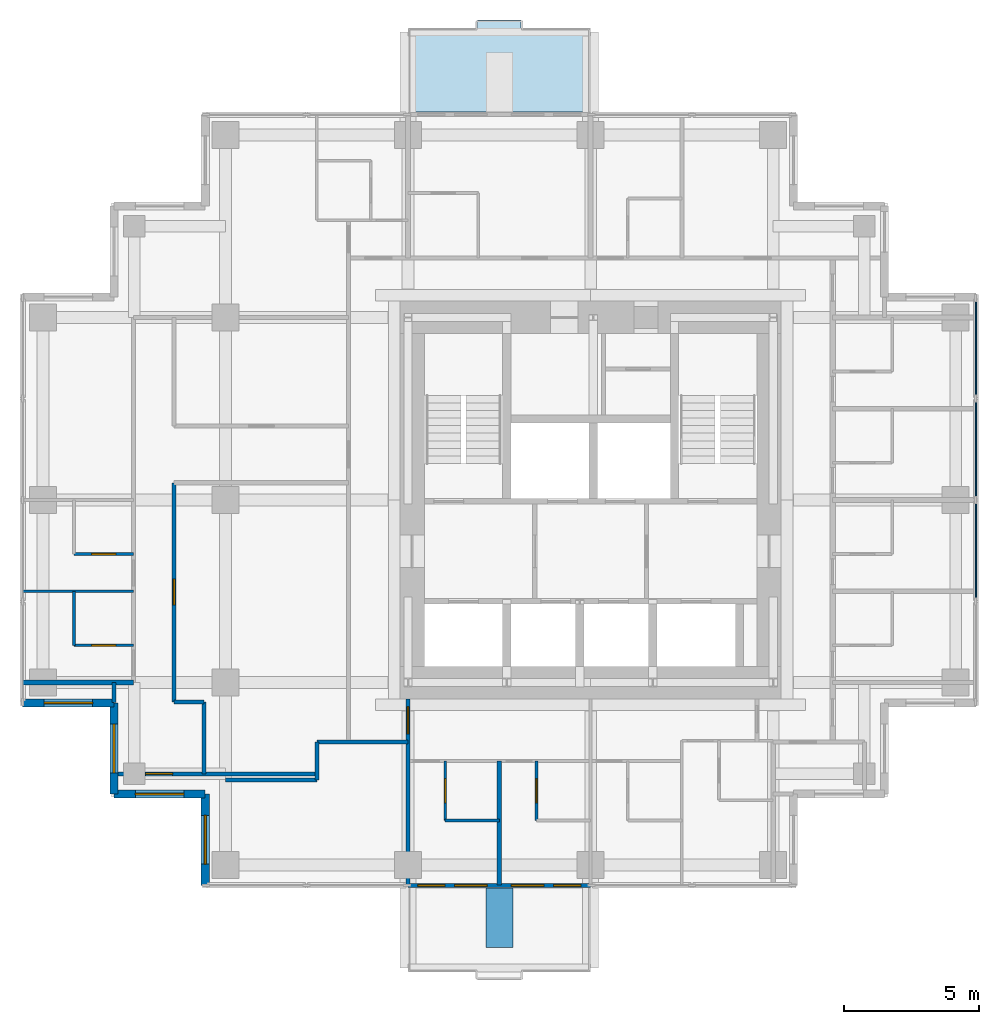
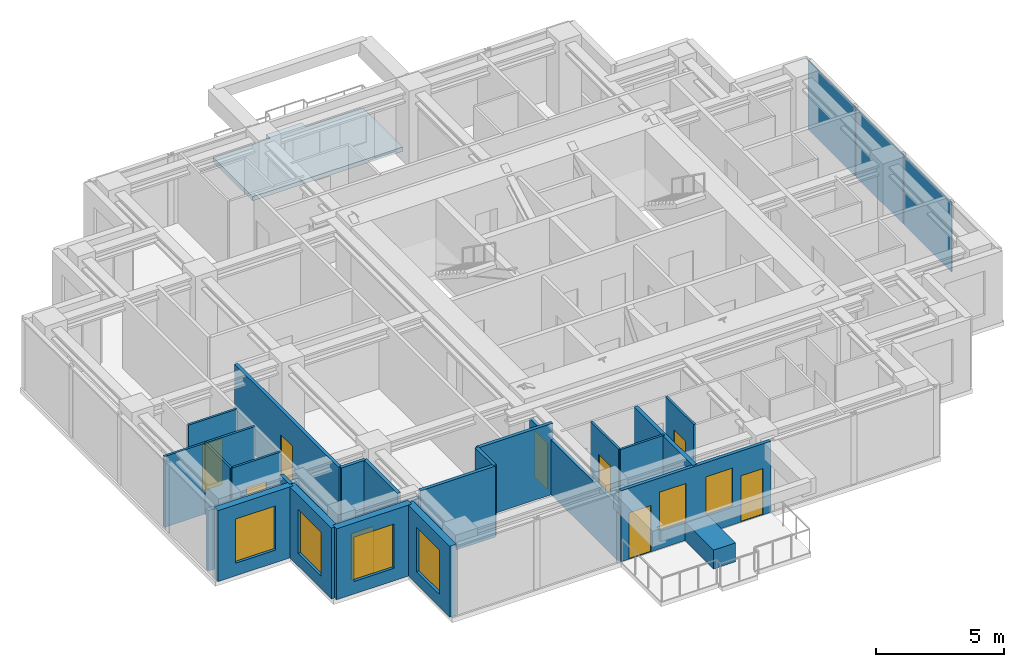
# One storey, part 3 of 8: 24 walls, 9 doors, 6 windows, 3 plates, 1 slab, 15 openings, 1 element without a shape of its own.
"""IFC4 building model written with IfcOpenShell, lengths in metres."""

from ifc_helpers import new_model, si_unit, direction, frame, frame_2d, origin, origin_2d, place, context, subcontext, project, spatial, polyline, rectangle, outline, extrude, material, layer, layer_set, type_object, element, fill, aggregate, save


model = new_model("IFC4")

# Units and contexts
model_context = context("Model", 3, precision=1e-05, world=origin(), true_north=direction((0.0, 1.0)))
body_context = subcontext(model_context, "Body", "Model", "MODEL_VIEW")
ifc_project = project(units=[si_unit("LENGTHUNIT", "METRE"), si_unit("AREAUNIT", "SQUARE_METRE"), si_unit("VOLUMEUNIT", "CUBIC_METRE"), si_unit("PLANEANGLEUNIT", "RADIAN"), si_unit("MASSUNIT", "GRAM", prefix="KILO")], contexts=[model_context])

# Site, building, storey
site_placement = place(None, origin())
site = spatial("IfcSite", under=ifc_project, at=site_placement, CompositionType="ELEMENT")
building_placement = place(site_placement, origin())
building = spatial("IfcBuilding", under=site, at=building_placement, Name="Nyansa Garden Tower", CompositionType="ELEMENT")
storey_placement = place(building_placement, frame((0.0, 0.0, 247.5)))
storey = spatial("IfcBuildingStorey", under=building, at=storey_placement, Name="L67", CompositionType="ELEMENT", Elevation=247.5)

# Slab
ifc_material_1 = material(Name="Concrete C40/50", Category="concrete")
ifc_layer_1 = layer(ifc_material_1, 0.199951171875)
ifc_layer_set_1 = layer_set([ifc_layer_1], Name="Balcony slab BS200")
slab_type = type_object("IfcSlabType", Name="Balcony slab BS200", PredefinedType="FLOOR", material=ifc_layer_set_1)
slab_placement = place(storey_placement, frame((0.0, 0.0, -0.239990234375)))
element("IfcSlab", 1, at=slab_placement, inside=storey, type_object=slab_type, Name="Balcony L67 N", PredefinedType="FLOOR", context=body_context, shape_type="SweptSolid", body=[
    extrude(outline(polyline([(13.5, 34.60009765625), (20.25, 34.60009765625), (20.25, 37.699951171875), (17.675048828125, 37.699951171875), (17.675048828125, 38.0), (16.074951171875, 38.0), (16.074951171875, 37.699951171875), (13.5, 37.699951171875), (13.5, 34.60009765625)])), origin(), (0.0, 0.0, 1.0), 0.199951171875),
])

# Curtain wall, plates
ifc_material_2 = material(Name="Black anodised aluminium, dark tinted double glazing", Category="aluminium")
curtain_wall_type = type_object("IfcCurtainWallType", Name="Inner skin curtain wall ISW-D", PredefinedType="USERDEFINED", material=ifc_material_2)
curtain_wall_placement = place(storey_placement, origin())
curtain_wall = element("IfcCurtainWall", 2, at=curtain_wall_placement, inside=storey, type_object=curtain_wall_type, Name="Inner skin curtain wall L67 E", ObjectType="UNITISED CURTAIN WALL", PredefinedType="USERDEFINED")
ifc_material_3 = material(Name="Dark tinted laminated double glazing", Category="glass")
ifc_layer_2 = layer(ifc_material_3, 0.0439453125)
ifc_layer_set_2 = layer_set([ifc_layer_2], Name="Dark tinted vision panel VP-D")
plate_type = type_object("IfcPlateType", Name="Dark tinted vision panel VP-D", PredefinedType="CURTAIN_PANEL", material=ifc_layer_set_2)
plate_1_placement = place(storey_placement, frame((34.5, 18.375, 0.0), z_axis=(0.0, 0.0, 1.0), x_axis=(0.0, 1.0, 0.0)))
plate_1 = element("IfcPlate", 3, at=plate_1_placement, type_object=plate_type, Name="ISW-D panel 2", PredefinedType="CURTAIN_PANEL", context=body_context, shape_type="SweptSolid", body=[
    extrude(rectangle(XDim=3.679931640625, YDim=0.0439453125, at=origin_2d()), origin(), (0.0, 0.0, 1.0), 3.304931640625),
])
plate_2_placement = place(storey_placement, frame((34.5, 22.125, 0.0), z_axis=(0.0, 0.0, 1.0), x_axis=(0.0, 1.0, 0.0)))
plate_2 = element("IfcPlate", 4, at=plate_2_placement, type_object=plate_type, Name="ISW-D panel 3", PredefinedType="CURTAIN_PANEL", context=body_context, shape_type="SweptSolid", body=[
    extrude(rectangle(XDim=3.679931640625, YDim=0.0439453125, at=origin_2d()), origin(), (0.0, 0.0, 1.0), 3.304931640625),
])
plate_3_placement = place(storey_placement, frame((34.5, 25.857421875, 0.0), z_axis=(0.0, 0.0, 1.0), x_axis=(0.0, 1.0, 0.0)))
plate_3 = element("IfcPlate", 5, at=plate_3_placement, type_object=plate_type, Name="ISW-D panel 4", PredefinedType="CURTAIN_PANEL", context=body_context, shape_type="SweptSolid", body=[
    extrude(rectangle(XDim=3.64501953125, YDim=0.0439453125, at=origin_2d()), origin(), (0.0, 0.0, 1.0), 3.304931640625),
])
aggregate(curtain_wall, [plate_1, plate_2, plate_3])

# Walls
ifc_material_4 = material(Name="Dense blockwork, plastered both sides, 55 dB", Category="masonry")
ifc_layer_3 = layer(ifc_material_4, 0.175048828125)
ifc_layer_set_3 = layer_set([ifc_layer_3], Name="Acoustic party wall PW175")
wall_type_1 = type_object("IfcWallType", Name="Acoustic party wall PW175", PredefinedType="PARTITIONING", material=ifc_layer_set_3)
wall_1_placement = place(storey_placement, frame((-0.73388671875, 13.5, 0.0), z_axis=(0.0, 0.0, 1.0), x_axis=(1.0, 0.0, 0.0)))
element("IfcWall", 6, at=wall_1_placement, inside=storey, type_object=wall_type_1, Name="Party wall", PredefinedType="PARTITIONING", context=body_context, shape_type="SweptSolid", body=[
    extrude(rectangle(XDim=4.083984375, YDim=0.175048828125, at=frame_2d((2.0419921875, 0.0))), origin(), (0.0, 0.0, 1.0), 2.876953125),
])
wall_2_placement = place(storey_placement, frame((16.875, 6.01611328125, 0.0), z_axis=(0.0, 0.0, 1.0), x_axis=(0.0, 1.0, 0.0)))
element("IfcWall", 7, at=wall_2_placement, inside=storey, type_object=wall_type_1, Name="Party wall", PredefinedType="PARTITIONING", context=body_context, shape_type="SweptSolid", body=[
    extrude(rectangle(XDim=4.583984375, YDim=0.175048828125, at=frame_2d((2.2919921875, 0.0))), origin(), (0.0, 0.0, 1.0), 3.375),
])

# Wall, openings, doors, windows
ifc_material_5 = material(Name="Black aluminium framed glazed screen", Category="aluminium")
ifc_layer_4 = layer(ifc_material_5, 0.14990234375)
ifc_layer_set_4 = layer_set([ifc_layer_4], Name="Balcony screen wall BW150")
wall_type_2 = type_object("IfcWallType", Name="Balcony screen wall BW150", PredefinedType="SOLIDWALL", material=ifc_layer_set_4)
wall_3_placement = place(storey_placement, frame((20.25, 6.0, 0.0), z_axis=(0.0, 0.0, 1.0), x_axis=(-1.0, 0.0, 0.0)))
wall_3 = element("IfcWall", 8, at=wall_3_placement, inside=storey, type_object=wall_type_2, Name="Glazed screen wall L67 S", PredefinedType="SOLIDWALL", context=body_context, shape_type="SweptSolid", body=[
    extrude(rectangle(XDim=6.75, YDim=0.14990234375, at=frame_2d((3.375, 0.0))), origin(), (0.0, 0.0, 1.0), 3.375),
])
opening_1_placement = place(wall_3_placement, frame((0.362548828125, 0.0, 0.0)))
opening_1 = element("IfcOpeningElement", 9, at=opening_1_placement, cuts=wall_3, Name="Opening D20", PredefinedType="OPENING", context=body_context, shape_type="SweptSolid", body=[
    extrude(rectangle(XDim=1.0, YDim=2.199951171875, at=frame_2d((0.5, 1.10009765625))), frame((0.0, 0.0849609375, 0.0), z_axis=(0.0, -1.0, 0.0), x_axis=(1.0, 0.0, 0.0)), (0.0, 0.0, 1.0), 0.169921875),
])
opening_2_placement = place(wall_3_placement, frame((1.72509765625, 0.0, 0.89990234375)))
opening_2 = element("IfcOpeningElement", 10, at=opening_2_placement, cuts=wall_3, Name="Opening W6", PredefinedType="OPENING", context=body_context, shape_type="SweptSolid", body=[
    extrude(rectangle(XDim=1.199951171875, YDim=1.800048828125, at=frame_2d((0.60009765625, 0.89990234375))), frame((0.0, 0.0849609375, 0.0), z_axis=(0.0, -1.0, 0.0), x_axis=(1.0, 0.0, 0.0)), (0.0, 0.0, 1.0), 0.169921875),
])
opening_3_placement = place(wall_3_placement, frame((5.387451171875, 0.0, 0.0)))
opening_3 = element("IfcOpeningElement", 11, at=opening_3_placement, cuts=wall_3, Name="Opening D20", PredefinedType="OPENING", context=body_context, shape_type="SweptSolid", body=[
    extrude(rectangle(XDim=1.0, YDim=2.199951171875, at=frame_2d((0.5, 1.10009765625))), frame((0.0, 0.0849609375, 0.0), z_axis=(0.0, -1.0, 0.0), x_axis=(1.0, 0.0, 0.0)), (0.0, 0.0, 1.0), 0.169921875),
])
opening_4_placement = place(wall_3_placement, frame((3.824951171875, 0.0, 0.89990234375)))
opening_4 = element("IfcOpeningElement", 12, at=opening_4_placement, cuts=wall_3, Name="Opening W6", PredefinedType="OPENING", context=body_context, shape_type="SweptSolid", body=[
    extrude(rectangle(XDim=1.199951171875, YDim=1.800048828125, at=frame_2d((0.60009765625, 0.89990234375))), frame((0.0, 0.0849609375, 0.0), z_axis=(0.0, -1.0, 0.0), x_axis=(1.0, 0.0, 0.0)), (0.0, 0.0, 1.0), 0.169921875),
])
ifc_material_6 = material(Name="Black aluminium framed glazed door", Category="aluminium")
door_type_1 = type_object("IfcDoorType", Name="Balcony door D20 1000x2200", OperationType="NOTDEFINED", PredefinedType="DOOR", material=ifc_material_6)
door_1_placement = place(opening_1_placement, origin())
door_1 = element("IfcDoor", 13, at=door_1_placement, inside=storey, type_object=door_type_1, Name="Balcony door L67", OperationType="SINGLE_SWING_LEFT", OverallHeight=2.199951171875, OverallWidth=1.0, PredefinedType="DOOR", context=body_context, shape_type="SweptSolid", body=[
    extrude(rectangle(XDim=1.0, YDim=2.199951171875, at=frame_2d((0.5, 1.10009765625))), frame((0.0, 0.02490234375, 0.0), z_axis=(0.0, -1.0, 0.0), x_axis=(1.0, 0.0, 0.0)), (0.0, 0.0, 1.0), 0.050048828125),
])
fill(opening_1, door_1)
door_2_placement = place(opening_3_placement, origin())
door_2 = element("IfcDoor", 14, at=door_2_placement, inside=storey, type_object=door_type_1, Name="Balcony door L67", OperationType="SINGLE_SWING_RIGHT", OverallHeight=2.199951171875, OverallWidth=1.0, PredefinedType="DOOR", context=body_context, shape_type="SweptSolid", body=[
    extrude(rectangle(XDim=1.0, YDim=2.199951171875, at=frame_2d((0.5, 1.10009765625))), frame((0.0, 0.02490234375, 0.0), z_axis=(0.0, -1.0, 0.0), x_axis=(1.0, 0.0, 0.0)), (0.0, 0.0, 1.0), 0.050048828125),
])
fill(opening_3, door_2)
ifc_material_7 = material(Name="Black aluminium frame, dark tinted double glazing", Category="aluminium")
window_type_1 = type_object("IfcWindowType", Name="Balcony window W6 1200x1800", PartitioningType="SINGLE_PANEL", PredefinedType="WINDOW", material=ifc_material_7)
window_1_placement = place(opening_2_placement, origin())
window_1 = element("IfcWindow", 15, at=window_1_placement, inside=storey, type_object=window_type_1, Name="Window L67", OverallHeight=1.800048828125, OverallWidth=1.199951171875, PartitioningType="SINGLE_PANEL", PredefinedType="WINDOW", context=body_context, shape_type="SweptSolid", body=[
    extrude(rectangle(XDim=1.199951171875, YDim=1.800048828125, at=frame_2d((0.60009765625, 0.89990234375))), frame((0.0, 0.030029296875, 0.0), z_axis=(0.0, -1.0, 0.0), x_axis=(1.0, 0.0, 0.0)), (0.0, 0.0, 1.0), 0.06005859375),
])
fill(opening_2, window_1)
window_2_placement = place(opening_4_placement, origin())
window_2 = element("IfcWindow", 16, at=window_2_placement, inside=storey, type_object=window_type_1, Name="Window L67", OverallHeight=1.800048828125, OverallWidth=1.199951171875, PartitioningType="SINGLE_PANEL", PredefinedType="WINDOW", context=body_context, shape_type="SweptSolid", body=[
    extrude(rectangle(XDim=1.199951171875, YDim=1.800048828125, at=frame_2d((0.60009765625, 0.89990234375))), frame((0.0, 0.030029296875, 0.0), z_axis=(0.0, -1.0, 0.0), x_axis=(1.0, 0.0, 0.0)), (0.0, 0.0, 1.0), 0.06005859375),
])
fill(opening_4, window_2)

# Wall
ifc_material_8 = material(Name="Blockwork, plastered both sides", Category="masonry")
ifc_layer_5 = layer(ifc_material_8, 0.14990234375)
ifc_layer_set_5 = layer_set([ifc_layer_5], Name="Partition PW150")
wall_type_3 = type_object("IfcWallType", Name="Partition PW150", PredefinedType="PARTITIONING", material=ifc_layer_set_5)
wall_4_placement = place(storey_placement, frame((2.625, 12.76611328125, 0.0), z_axis=(0.0, 0.0, 1.0), x_axis=(0.0, 1.0, 0.0)))
element("IfcWall", 17, at=wall_4_placement, inside=storey, type_object=wall_type_3, Name="Partition", PredefinedType="PARTITIONING", context=body_context, shape_type="SweptSolid", body=[
    extrude(rectangle(XDim=0.73388671875, YDim=0.14990234375, at=frame_2d((0.366943359375, 0.0))), origin(), (0.0, 0.0, 1.0), 3.375),
])

# Wall, opening, door
wall_5_placement = place(storey_placement, frame((2.77490234375, 10.125, 0.0), z_axis=(0.0, 0.0, 1.0), x_axis=(1.0, 0.0, 0.0)))
wall_5 = element("IfcWall", 18, at=wall_5_placement, inside=storey, type_object=wall_type_3, Name="Partition", PredefinedType="PARTITIONING", context=body_context, shape_type="SweptSolid", body=[
    extrude(rectangle(XDim=7.35009765625, YDim=0.14990234375, at=frame_2d((3.675048828125, 0.0))), origin(), (0.0, 0.0, 1.0), 2.876953125),
])
opening_5_placement = place(wall_5_placement, frame((1.01611328125, 0.0, 0.0)))
opening_5 = element("IfcOpeningElement", 19, at=opening_5_placement, cuts=wall_5, Name="Opening D03", PredefinedType="OPENING", context=body_context, shape_type="SweptSolid", body=[
    extrude(rectangle(XDim=1.0, YDim=2.199951171875, at=frame_2d((0.5, 1.10009765625))), frame((0.0, 0.0849609375, 0.0), z_axis=(0.0, -1.0, 0.0), x_axis=(1.0, 0.0, 0.0)), (0.0, 0.0, 1.0), 0.169921875),
])
ifc_material_9 = material(Name="Timber flush door, 60 minute fire resisting", Category="wood")
door_type_2 = type_object("IfcDoorType", Name="Cluster entrance door D03 1000x2200", OperationType="SINGLE_SWING_LEFT", PredefinedType="DOOR", material=ifc_material_9)
door_3_placement = place(opening_5_placement, origin())
door_3 = element("IfcDoor", 20, at=door_3_placement, inside=storey, type_object=door_type_2, Name="Door L67-017", OperationType="SINGLE_SWING_LEFT", OverallHeight=2.199951171875, OverallWidth=1.0, PredefinedType="DOOR", context=body_context, shape_type="SweptSolid", body=[
    extrude(rectangle(XDim=1.0, YDim=2.199951171875, at=frame_2d((0.5, 1.10009765625))), frame((0.0, 0.02490234375, 0.0), z_axis=(0.0, -1.0, 0.0), x_axis=(1.0, 0.0, 0.0)), (0.0, 0.0, 1.0), 0.050048828125),
])
fill(opening_5, door_3)

wall_6_placement = place(storey_placement, frame((4.85009765625, 12.77490234375, 0.0), z_axis=(0.0, 0.0, 1.0), x_axis=(0.0, 1.0, 0.0)))
wall_6 = element("IfcWall", 21, at=wall_6_placement, inside=storey, type_object=wall_type_3, Name="Partition", PredefinedType="PARTITIONING", context=body_context, shape_type="SweptSolid", body=[
    extrude(rectangle(XDim=8.112548828125, YDim=0.14990234375, at=frame_2d((4.05615234375, 0.0))), origin(), (0.0, 0.0, 1.0), 3.375),
])
opening_6_placement = place(wall_6_placement, frame((3.60009765625, 0.0, 0.0)))
opening_6 = element("IfcOpeningElement", 22, at=opening_6_placement, cuts=wall_6, Name="Opening D01", PredefinedType="OPENING", context=body_context, shape_type="SweptSolid", body=[
    extrude(rectangle(XDim=0.949951171875, YDim=2.199951171875, at=frame_2d((0.47509765625, 1.10009765625))), frame((0.0, 0.0849609375, 0.0), z_axis=(0.0, -1.0, 0.0), x_axis=(1.0, 0.0, 0.0)), (0.0, 0.0, 1.0), 0.169921875),
])
ifc_material_10 = material(Name="Timber flush door, 30 minute fire resisting", Category="wood")
door_type_3 = type_object("IfcDoorType", Name="Bedroom door D01 950x2200", OperationType="SINGLE_SWING_LEFT", PredefinedType="DOOR", material=ifc_material_10)
door_4_placement = place(opening_6_placement, origin())
door_4 = element("IfcDoor", 23, at=door_4_placement, inside=storey, type_object=door_type_3, Name="Door L67-054", OperationType="SINGLE_SWING_LEFT", OverallHeight=2.199951171875, OverallWidth=0.949951171875, PredefinedType="DOOR", context=body_context, shape_type="SweptSolid", body=[
    extrude(rectangle(XDim=0.949951171875, YDim=2.199951171875, at=frame_2d((0.47509765625, 1.10009765625))), frame((0.0, 0.02490234375, 0.0), z_axis=(0.0, -1.0, 0.0), x_axis=(1.0, 0.0, 0.0)), (0.0, 0.0, 1.0), 0.050048828125),
])
fill(opening_6, door_4)

# Walls
wall_7_placement = place(storey_placement, frame((4.85009765625, 12.77490234375, 0.0), z_axis=(0.0, 0.0, 1.0), x_axis=(1.0, 0.0, 0.0)))
element("IfcWall", 24, at=wall_7_placement, inside=storey, type_object=wall_type_3, Name="Partition", PredefinedType="PARTITIONING", context=body_context, shape_type="SweptSolid", body=[
    extrude(rectangle(XDim=1.099853515625, YDim=0.14990234375, at=frame_2d((0.5498046875, 0.0))), origin(), (0.0, 0.0, 1.0), 3.375),
])
wall_8_placement = place(storey_placement, frame((5.949951171875, 10.125, 0.0), z_axis=(0.0, 0.0, 1.0), x_axis=(0.0, 1.0, 0.0)))
element("IfcWall", 25, at=wall_8_placement, inside=storey, type_object=wall_type_3, Name="Partition", PredefinedType="PARTITIONING", context=body_context, shape_type="SweptSolid", body=[
    extrude(rectangle(XDim=2.64990234375, YDim=0.14990234375, at=frame_2d((1.324951171875, 0.0))), origin(), (0.0, 0.0, 1.0), 3.375),
])
wall_9_placement = place(storey_placement, frame((6.75, 9.89990234375, 0.0), z_axis=(0.0, 0.0, 1.0), x_axis=(1.0, 0.0, 0.0)))
element("IfcWall", 26, at=wall_9_placement, inside=storey, type_object=wall_type_3, Name="Partition", PredefinedType="PARTITIONING", context=body_context, shape_type="SweptSolid", body=[
    extrude(rectangle(XDim=3.375, YDim=0.14990234375, at=frame_2d((1.6875, 0.0))), origin(), (0.0, 0.0, 1.0), 3.375),
])
wall_10_placement = place(storey_placement, frame((10.125, 9.89990234375, 0.0), z_axis=(0.0, 0.0, 1.0), x_axis=(0.0, 1.0, 0.0)))
element("IfcWall", 27, at=wall_10_placement, inside=storey, type_object=wall_type_3, Name="Partition", PredefinedType="PARTITIONING", context=body_context, shape_type="SweptSolid", body=[
    extrude(rectangle(XDim=1.400146484375, YDim=0.14990234375, at=frame_2d((0.7001953125, 0.0))), origin(), (0.0, 0.0, 1.0), 3.375),
])
wall_11_placement = place(storey_placement, frame((10.125, 11.300048828125, 0.0), z_axis=(0.0, 0.0, 1.0), x_axis=(1.0, 0.0, 0.0)))
element("IfcWall", 28, at=wall_11_placement, inside=storey, type_object=wall_type_3, Name="Partition", PredefinedType="PARTITIONING", context=body_context, shape_type="SweptSolid", body=[
    extrude(rectangle(XDim=3.375, YDim=0.14990234375, at=frame_2d((1.6875, 0.0))), origin(), (0.0, 0.0, 1.0), 3.375),
])

# Wall, opening, door
wall_12_placement = place(storey_placement, frame((13.5, 6.01611328125, 0.0), z_axis=(0.0, 0.0, 1.0), x_axis=(0.0, 1.0, 0.0)))
wall_12 = element("IfcWall", 29, at=wall_12_placement, inside=storey, type_object=wall_type_3, Name="Partition", PredefinedType="PARTITIONING", context=body_context, shape_type="SweptSolid", body=[
    extrude(rectangle(XDim=6.8837890625, YDim=0.14990234375, at=frame_2d((3.44189453125, 0.0))), origin(), (0.0, 0.0, 1.0), 2.610107421875),
])
opening_7_placement = place(wall_12_placement, frame((5.583984375, 0.0, 0.0)))
opening_7 = element("IfcOpeningElement", 30, at=opening_7_placement, cuts=wall_12, Name="Opening D03", PredefinedType="OPENING", context=body_context, shape_type="SweptSolid", body=[
    extrude(rectangle(XDim=1.0, YDim=2.199951171875, at=frame_2d((0.5, 1.10009765625))), frame((0.0, 0.0849609375, 0.0), z_axis=(0.0, -1.0, 0.0), x_axis=(1.0, 0.0, 0.0)), (0.0, 0.0, 1.0), 0.169921875),
])
door_5_placement = place(opening_7_placement, origin())
door_5 = element("IfcDoor", 31, at=door_5_placement, inside=storey, type_object=door_type_2, Name="Door L67-022", OperationType="SINGLE_SWING_LEFT", OverallHeight=2.199951171875, OverallWidth=1.0, PredefinedType="DOOR", context=body_context, shape_type="SweptSolid", body=[
    extrude(rectangle(XDim=1.0, YDim=2.199951171875, at=frame_2d((0.5, 1.10009765625))), frame((0.0, 0.02490234375, 0.0), z_axis=(0.0, -1.0, 0.0), x_axis=(1.0, 0.0, 0.0)), (0.0, 0.0, 1.0), 0.050048828125),
])
fill(opening_7, door_5)

# Wall, opening, window
ifc_material_11 = material(Name="Turquoise glazed tile on concrete blockwork", Category="masonry")
ifc_layer_6 = layer(ifc_material_11, 0.300048828125)
ifc_layer_set_6 = layer_set([ifc_layer_6], Name="Tiled corner wall TW300")
wall_type_4 = type_object("IfcWallType", Name="Tiled corner wall TW300", PredefinedType="SOLIDWALL", material=ifc_layer_set_6)
wall_13_placement = place(storey_placement, frame((-0.75, 12.75, 0.0), z_axis=(0.0, 0.0, 1.0), x_axis=(1.0, 0.0, 0.0)))
wall_13 = element("IfcWall", 32, at=wall_13_placement, inside=storey, type_object=wall_type_4, Name="Tiled corner wall L67", PredefinedType="SOLIDWALL", context=body_context, shape_type="SweptSolid", body=[
    extrude(rectangle(XDim=3.375, YDim=0.300048828125, at=frame_2d((1.6875, 0.0))), origin(), (0.0, 0.0, 1.0), 3.375),
])
opening_8_placement = place(wall_13_placement, frame((0.78759765625, 0.0, 0.60009765625)))
opening_8 = element("IfcOpeningElement", 33, at=opening_8_placement, cuts=wall_13, Name="Opening W2", PredefinedType="OPENING", context=body_context, shape_type="SweptSolid", body=[
    extrude(rectangle(XDim=1.800048828125, YDim=2.10009765625, at=frame_2d((0.89990234375, 1.050048828125))), frame((0.0, 0.159912109375, 0.0), z_axis=(0.0, -1.0, 0.0), x_axis=(1.0, 0.0, 0.0)), (0.0, 0.0, 1.0), 0.320068359375),
])
ifc_material_12 = material(Name="Black aluminium frame, dark tinted double glazing", Category="aluminium")
window_type_2 = type_object("IfcWindowType", Name="Window W2 1800x2100", PartitioningType="SINGLE_PANEL", PredefinedType="WINDOW", material=ifc_material_12)
window_3_placement = place(opening_8_placement, origin())
window_3 = element("IfcWindow", 34, at=window_3_placement, inside=storey, type_object=window_type_2, Name="Corner window L67", OverallHeight=2.10009765625, OverallWidth=1.800048828125, PartitioningType="SINGLE_PANEL", PredefinedType="WINDOW", context=body_context, shape_type="SweptSolid", body=[
    extrude(rectangle(XDim=1.800048828125, YDim=2.10009765625, at=frame_2d((0.89990234375, 1.050048828125))), frame((0.0, 0.030029296875, 0.0), z_axis=(0.0, -1.0, 0.0), x_axis=(1.0, 0.0, 0.0)), (0.0, 0.0, 1.0), 0.06005859375),
])
fill(opening_8, window_3)

wall_14_placement = place(storey_placement, frame((2.625, 12.75, 0.0), z_axis=(0.0, 0.0, 1.0), x_axis=(0.0, -1.0, 0.0)))
wall_14 = element("IfcWall", 35, at=wall_14_placement, inside=storey, type_object=wall_type_4, Name="Tiled corner wall L67", PredefinedType="SOLIDWALL", context=body_context, shape_type="SweptSolid", body=[
    extrude(rectangle(XDim=3.375, YDim=0.300048828125, at=frame_2d((1.6875, 0.0))), origin(), (0.0, 0.0, 1.0), 3.375),
])
opening_9_placement = place(wall_14_placement, frame((0.78759765625, 0.0, 0.60009765625)))
opening_9 = element("IfcOpeningElement", 36, at=opening_9_placement, cuts=wall_14, Name="Opening W2", PredefinedType="OPENING", context=body_context, shape_type="SweptSolid", body=[
    extrude(rectangle(XDim=1.800048828125, YDim=2.10009765625, at=frame_2d((0.89990234375, 1.050048828125))), frame((0.0, 0.159912109375, 0.0), z_axis=(0.0, -1.0, 0.0), x_axis=(1.0, 0.0, 0.0)), (0.0, 0.0, 1.0), 0.320068359375),
])
window_4_placement = place(opening_9_placement, origin())
window_4 = element("IfcWindow", 37, at=window_4_placement, inside=storey, type_object=window_type_2, Name="Corner window L67", OverallHeight=2.10009765625, OverallWidth=1.800048828125, PartitioningType="SINGLE_PANEL", PredefinedType="WINDOW", context=body_context, shape_type="SweptSolid", body=[
    extrude(rectangle(XDim=1.800048828125, YDim=2.10009765625, at=frame_2d((0.89990234375, 1.050048828125))), frame((0.0, 0.030029296875, 0.0), z_axis=(0.0, -1.0, 0.0), x_axis=(1.0, 0.0, 0.0)), (0.0, 0.0, 1.0), 0.06005859375),
])
fill(opening_9, window_4)

wall_15_placement = place(storey_placement, frame((2.625, 9.375, 0.0), z_axis=(0.0, 0.0, 1.0), x_axis=(1.0, 0.0, 0.0)))
wall_15 = element("IfcWall", 38, at=wall_15_placement, inside=storey, type_object=wall_type_4, Name="Tiled corner wall L67", PredefinedType="SOLIDWALL", context=body_context, shape_type="SweptSolid", body=[
    extrude(rectangle(XDim=3.375, YDim=0.300048828125, at=frame_2d((1.6875, 0.0))), origin(), (0.0, 0.0, 1.0), 3.375),
])
opening_10_placement = place(wall_15_placement, frame((0.78759765625, 0.0, 0.60009765625)))
opening_10 = element("IfcOpeningElement", 39, at=opening_10_placement, cuts=wall_15, Name="Opening W2", PredefinedType="OPENING", context=body_context, shape_type="SweptSolid", body=[
    extrude(rectangle(XDim=1.800048828125, YDim=2.10009765625, at=frame_2d((0.89990234375, 1.050048828125))), frame((0.0, 0.159912109375, 0.0), z_axis=(0.0, -1.0, 0.0), x_axis=(1.0, 0.0, 0.0)), (0.0, 0.0, 1.0), 0.320068359375),
])
window_5_placement = place(opening_10_placement, origin())
window_5 = element("IfcWindow", 40, at=window_5_placement, inside=storey, type_object=window_type_2, Name="Corner window L67", OverallHeight=2.10009765625, OverallWidth=1.800048828125, PartitioningType="SINGLE_PANEL", PredefinedType="WINDOW", context=body_context, shape_type="SweptSolid", body=[
    extrude(rectangle(XDim=1.800048828125, YDim=2.10009765625, at=frame_2d((0.89990234375, 1.050048828125))), frame((0.0, 0.030029296875, 0.0), z_axis=(0.0, -1.0, 0.0), x_axis=(1.0, 0.0, 0.0)), (0.0, 0.0, 1.0), 0.06005859375),
])
fill(opening_10, window_5)

wall_16_placement = place(storey_placement, frame((6.0, 9.375, 0.0), z_axis=(0.0, 0.0, 1.0), x_axis=(0.0, -1.0, 0.0)))
wall_16 = element("IfcWall", 41, at=wall_16_placement, inside=storey, type_object=wall_type_4, Name="Tiled corner wall L67", PredefinedType="SOLIDWALL", context=body_context, shape_type="SweptSolid", body=[
    extrude(rectangle(XDim=3.375, YDim=0.300048828125, at=frame_2d((1.6875, 0.0))), origin(), (0.0, 0.0, 1.0), 3.375),
])
opening_11_placement = place(wall_16_placement, frame((0.78759765625, 0.0, 0.60009765625)))
opening_11 = element("IfcOpeningElement", 42, at=opening_11_placement, cuts=wall_16, Name="Opening W2", PredefinedType="OPENING", context=body_context, shape_type="SweptSolid", body=[
    extrude(rectangle(XDim=1.800048828125, YDim=2.10009765625, at=frame_2d((0.89990234375, 1.050048828125))), frame((0.0, 0.159912109375, 0.0), z_axis=(0.0, -1.0, 0.0), x_axis=(1.0, 0.0, 0.0)), (0.0, 0.0, 1.0), 0.320068359375),
])
window_6_placement = place(opening_11_placement, origin())
window_6 = element("IfcWindow", 43, at=window_6_placement, inside=storey, type_object=window_type_2, Name="Corner window L67", OverallHeight=2.10009765625, OverallWidth=1.800048828125, PartitioningType="SINGLE_PANEL", PredefinedType="WINDOW", context=body_context, shape_type="SweptSolid", body=[
    extrude(rectangle(XDim=1.800048828125, YDim=2.10009765625, at=frame_2d((0.89990234375, 1.050048828125))), frame((0.0, 0.030029296875, 0.0), z_axis=(0.0, -1.0, 0.0), x_axis=(1.0, 0.0, 0.0)), (0.0, 0.0, 1.0), 0.06005859375),
])
fill(opening_11, window_6)

# Walls
ifc_material_13 = material(Name="Concrete C40/50 planter, waterproofed", Category="concrete")
ifc_layer_7 = layer(ifc_material_13, 1.0)
ifc_layer_set_7 = layer_set([ifc_layer_7], Name="Tree planter TP1")
wall_type_5 = type_object("IfcWallType", Name="Tree planter TP1", PredefinedType="USERDEFINED", material=ifc_layer_set_7)
wall_17_placement = place(storey_placement, frame((16.875, 5.89990234375, 0.0), z_axis=(0.0, 0.0, 1.0), x_axis=(0.0, -1.0, 0.0)))
element("IfcWall", 44, at=wall_17_placement, inside=storey, type_object=wall_type_5, Name="Tree planter L67", ObjectType="TREE PLANTER", PredefinedType="USERDEFINED", context=body_context, shape_type="SweptSolid", body=[
    extrude(rectangle(XDim=2.199951171875, YDim=1.0, at=frame_2d((1.10009765625, 0.0))), origin(), (0.0, 0.0, 1.0), 0.89990234375),
])
ifc_material_14 = material(Name="Moisture resistant board on steel studs, tiled", Category="steel")
ifc_layer_8 = layer(ifc_material_14, 0.10009765625)
ifc_layer_set_8 = layer_set([ifc_layer_8], Name="Wet wall PW100")
wall_type_6 = type_object("IfcWallType", Name="Wet wall PW100", PredefinedType="PARTITIONING", material=ifc_layer_set_8)
wall_18_placement = place(storey_placement, frame((-0.73388671875, 16.875, 0.0), z_axis=(0.0, 0.0, 1.0), x_axis=(1.0, 0.0, 0.0)))
element("IfcWall", 45, at=wall_18_placement, inside=storey, type_object=wall_type_6, Name="Wet wall", PredefinedType="PARTITIONING", context=body_context, shape_type="SweptSolid", body=[
    extrude(rectangle(XDim=4.083984375, YDim=0.10009765625, at=frame_2d((2.0419921875, 0.0))), origin(), (0.0, 0.0, 1.0), 3.375),
])
wall_19_placement = place(storey_placement, frame((1.14990234375, 14.875, 0.0), z_axis=(0.0, 0.0, 1.0), x_axis=(0.0, 1.0, 0.0)))
element("IfcWall", 46, at=wall_19_placement, inside=storey, type_object=wall_type_6, Name="Wet wall", PredefinedType="PARTITIONING", context=body_context, shape_type="SweptSolid", body=[
    extrude(rectangle(XDim=2.0, YDim=0.10009765625, at=frame_2d((1.0, 0.0))), origin(), (0.0, 0.0, 1.0), 3.375),
])

# Wall, opening, door
wall_20_placement = place(storey_placement, frame((1.14990234375, 14.875, 0.0), z_axis=(0.0, 0.0, 1.0), x_axis=(1.0, 0.0, 0.0)))
wall_20 = element("IfcWall", 47, at=wall_20_placement, inside=storey, type_object=wall_type_6, Name="Wet wall", PredefinedType="PARTITIONING", context=body_context, shape_type="SweptSolid", body=[
    extrude(rectangle(XDim=2.2001953125, YDim=0.10009765625, at=frame_2d((1.10009765625, 0.0))), origin(), (0.0, 0.0, 1.0), 3.375),
])
opening_12_placement = place(wall_20_placement, frame((0.64990234375, 0.0, 0.0)))
opening_12 = element("IfcOpeningElement", 48, at=opening_12_placement, cuts=wall_20, Name="Opening D02", PredefinedType="OPENING", context=body_context, shape_type="SweptSolid", body=[
    extrude(rectangle(XDim=0.89990234375, YDim=2.199951171875, at=frame_2d((0.449951171875, 1.10009765625))), frame((0.0, 0.06005859375, 0.0), z_axis=(0.0, -1.0, 0.0), x_axis=(1.0, 0.0, 0.0)), (0.0, 0.0, 1.0), 0.1201171875),
])
ifc_material_15 = material(Name="Timber flush door", Category="wood")
door_type_4 = type_object("IfcDoorType", Name="En-suite door D02 900x2200", OperationType="SINGLE_SWING_RIGHT", PredefinedType="DOOR", material=ifc_material_15)
door_6_placement = place(opening_12_placement, origin())
door_6 = element("IfcDoor", 49, at=door_6_placement, inside=storey, type_object=door_type_4, Name="Door L67-049", OperationType="SINGLE_SWING_RIGHT", OverallHeight=2.199951171875, OverallWidth=0.89990234375, PredefinedType="DOOR", context=body_context, shape_type="SweptSolid", body=[
    extrude(rectangle(XDim=0.89990234375, YDim=2.199951171875, at=frame_2d((0.449951171875, 1.10009765625))), frame((0.0, 0.02490234375, 0.0), z_axis=(0.0, -1.0, 0.0), x_axis=(1.0, 0.0, 0.0)), (0.0, 0.0, 1.0), 0.050048828125),
])
fill(opening_12, door_6)

wall_21_placement = place(storey_placement, frame((1.14990234375, 18.25, 0.0), z_axis=(0.0, 0.0, 1.0), x_axis=(1.0, 0.0, 0.0)))
wall_21 = element("IfcWall", 50, at=wall_21_placement, inside=storey, type_object=wall_type_6, Name="Wet wall", PredefinedType="PARTITIONING", context=body_context, shape_type="SweptSolid", body=[
    extrude(rectangle(XDim=2.2001953125, YDim=0.10009765625, at=frame_2d((1.10009765625, 0.0))), origin(), (0.0, 0.0, 1.0), 3.375),
])
opening_13_placement = place(wall_21_placement, frame((0.64990234375, 0.0, 0.0)))
opening_13 = element("IfcOpeningElement", 51, at=opening_13_placement, cuts=wall_21, Name="Opening D02", PredefinedType="OPENING", context=body_context, shape_type="SweptSolid", body=[
    extrude(rectangle(XDim=0.89990234375, YDim=2.199951171875, at=frame_2d((0.449951171875, 1.10009765625))), frame((0.0, 0.06005859375, 0.0), z_axis=(0.0, -1.0, 0.0), x_axis=(1.0, 0.0, 0.0)), (0.0, 0.0, 1.0), 0.1201171875),
])
door_7_placement = place(opening_13_placement, origin())
door_7 = element("IfcDoor", 52, at=door_7_placement, inside=storey, type_object=door_type_4, Name="Door L67-051", OperationType="SINGLE_SWING_RIGHT", OverallHeight=2.199951171875, OverallWidth=0.89990234375, PredefinedType="DOOR", context=body_context, shape_type="SweptSolid", body=[
    extrude(rectangle(XDim=0.89990234375, YDim=2.199951171875, at=frame_2d((0.449951171875, 1.10009765625))), frame((0.0, 0.02490234375, 0.0), z_axis=(0.0, -1.0, 0.0), x_axis=(1.0, 0.0, 0.0)), (0.0, 0.0, 1.0), 0.050048828125),
])
fill(opening_13, door_7)

wall_22_placement = place(storey_placement, frame((14.875, 8.39990234375, 0.0), z_axis=(0.0, 0.0, 1.0), x_axis=(0.0, 1.0, 0.0)))
wall_22 = element("IfcWall", 53, at=wall_22_placement, inside=storey, type_object=wall_type_6, Name="Wet wall", PredefinedType="PARTITIONING", context=body_context, shape_type="SweptSolid", body=[
    extrude(rectangle(XDim=2.2001953125, YDim=0.10009765625, at=frame_2d((1.10009765625, 0.0))), origin(), (0.0, 0.0, 1.0), 3.375),
])
opening_14_placement = place(wall_22_placement, frame((0.64990234375, 0.0, 0.0)))
opening_14 = element("IfcOpeningElement", 54, at=opening_14_placement, cuts=wall_22, Name="Opening D02", PredefinedType="OPENING", context=body_context, shape_type="SweptSolid", body=[
    extrude(rectangle(XDim=0.89990234375, YDim=2.199951171875, at=frame_2d((0.449951171875, 1.10009765625))), frame((0.0, 0.06005859375, 0.0), z_axis=(0.0, -1.0, 0.0), x_axis=(1.0, 0.0, 0.0)), (0.0, 0.0, 1.0), 0.1201171875),
])
door_8_placement = place(opening_14_placement, origin())
door_8 = element("IfcDoor", 55, at=door_8_placement, inside=storey, type_object=door_type_4, Name="Door L67-019", OperationType="SINGLE_SWING_RIGHT", OverallHeight=2.199951171875, OverallWidth=0.89990234375, PredefinedType="DOOR", context=body_context, shape_type="SweptSolid", body=[
    extrude(rectangle(XDim=0.89990234375, YDim=2.199951171875, at=frame_2d((0.449951171875, 1.10009765625))), frame((0.0, 0.02490234375, 0.0), z_axis=(0.0, -1.0, 0.0), x_axis=(1.0, 0.0, 0.0)), (0.0, 0.0, 1.0), 0.050048828125),
])
fill(opening_14, door_8)

# Wall
wall_23_placement = place(storey_placement, frame((14.875, 8.39990234375, 0.0), z_axis=(0.0, 0.0, 1.0), x_axis=(1.0, 0.0, 0.0)))
element("IfcWall", 56, at=wall_23_placement, inside=storey, type_object=wall_type_6, Name="Wet wall", PredefinedType="PARTITIONING", context=body_context, shape_type="SweptSolid", body=[
    extrude(rectangle(XDim=2.0, YDim=0.10009765625, at=frame_2d((1.0, 0.0))), origin(), (0.0, 0.0, 1.0), 3.375),
])

# Wall, opening, door
wall_24_placement = place(storey_placement, frame((18.25, 8.39990234375, 0.0), z_axis=(0.0, 0.0, 1.0), x_axis=(0.0, 1.0, 0.0)))
wall_24 = element("IfcWall", 57, at=wall_24_placement, inside=storey, type_object=wall_type_6, Name="Wet wall", PredefinedType="PARTITIONING", context=body_context, shape_type="SweptSolid", body=[
    extrude(rectangle(XDim=2.2001953125, YDim=0.10009765625, at=frame_2d((1.10009765625, 0.0))), origin(), (0.0, 0.0, 1.0), 3.375),
])
opening_15_placement = place(wall_24_placement, frame((0.64990234375, 0.0, 0.0)))
opening_15 = element("IfcOpeningElement", 58, at=opening_15_placement, cuts=wall_24, Name="Opening D02", PredefinedType="OPENING", context=body_context, shape_type="SweptSolid", body=[
    extrude(rectangle(XDim=0.89990234375, YDim=2.199951171875, at=frame_2d((0.449951171875, 1.10009765625))), frame((0.0, 0.06005859375, 0.0), z_axis=(0.0, -1.0, 0.0), x_axis=(1.0, 0.0, 0.0)), (0.0, 0.0, 1.0), 0.1201171875),
])
door_9_placement = place(opening_15_placement, origin())
door_9 = element("IfcDoor", 59, at=door_9_placement, inside=storey, type_object=door_type_4, Name="Door L67-021", OperationType="SINGLE_SWING_RIGHT", OverallHeight=2.199951171875, OverallWidth=0.89990234375, PredefinedType="DOOR", context=body_context, shape_type="SweptSolid", body=[
    extrude(rectangle(XDim=0.89990234375, YDim=2.199951171875, at=frame_2d((0.449951171875, 1.10009765625))), frame((0.0, 0.02490234375, 0.0), z_axis=(0.0, -1.0, 0.0), x_axis=(1.0, 0.0, 0.0)), (0.0, 0.0, 1.0), 0.050048828125),
])
fill(opening_15, door_9)

save(model, "model.ifc")
